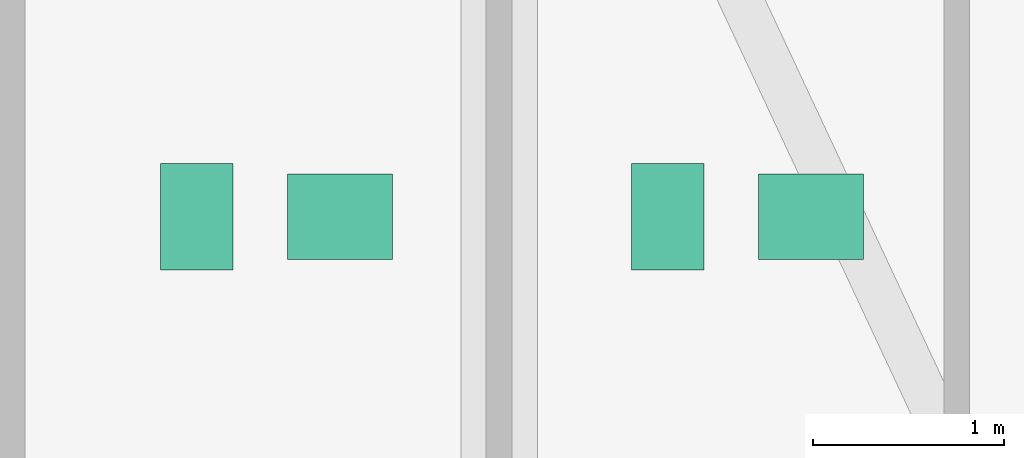
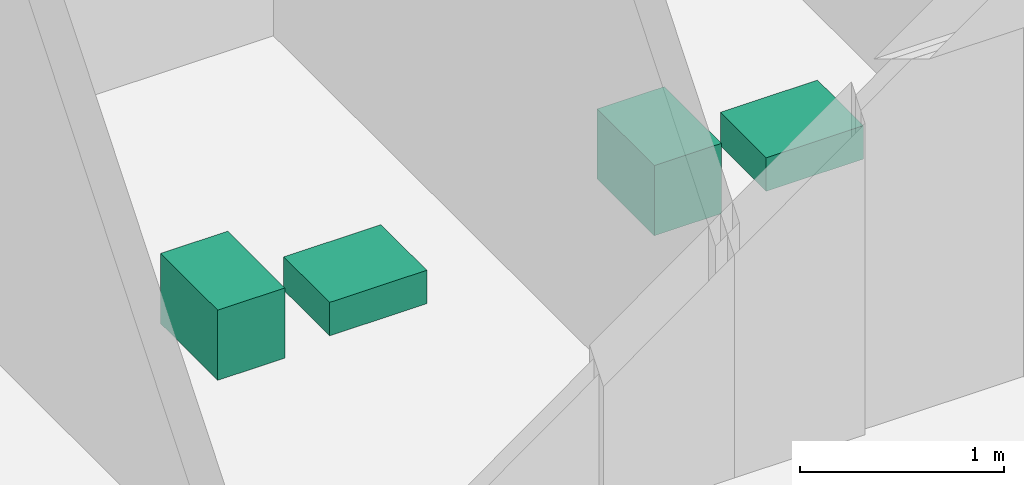
# One storey, part 31 of 31: 4 sanitary terminals.
"""IFC4 building model written with IfcOpenShell, lengths in metres."""

from ifc_helpers import new_model, si_unit, direction, frame, origin, origin_2d, place, context, subcontext, project, spatial, rectangle, extrude, material, type_object, element, save


model = new_model("IFC4")

# Units and contexts
model_context = context("Model", 3, precision=1e-05, world=origin(), true_north=direction((0.0, 1.0)))
body_context = subcontext(model_context, "Body", "Model", "MODEL_VIEW")
ifc_project = project(units=[si_unit("LENGTHUNIT", "METRE"), si_unit("AREAUNIT", "SQUARE_METRE"), si_unit("VOLUMEUNIT", "CUBIC_METRE"), si_unit("PLANEANGLEUNIT", "RADIAN"), si_unit("MASSUNIT", "GRAM", prefix="KILO")], contexts=[model_context])

# Site, building, storey
site_placement = place(None, origin())
site = spatial("IfcSite", under=ifc_project, at=site_placement, CompositionType="ELEMENT")
building_placement = place(site_placement, origin())
building = spatial("IfcBuilding", under=site, at=building_placement, Name="Zuhayl Quay Hotel", CompositionType="ELEMENT")
storey_placement = place(building_placement, frame((0.0, 0.0, 172.800048828125)))
storey = spatial("IfcBuildingStorey", under=building, at=storey_placement, Name="L43", CompositionType="ELEMENT", Elevation=172.800048828125)

# Sanitary terminals
ifc_material = material(Name="Vitreous Porcelain Sanitaryware")
sanitary_terminal_type_1 = type_object("IfcSanitaryTerminalType", Name="SAN_BASIN", PredefinedType="WASHHANDBASIN", material=ifc_material)
for number, where, z_axis, x_axis, name in (
    (1, (12.965087890625, 29.10009765625, 0.0), (0.0, 0.0, 1.0), (1.0, 0.0, 0.0), "L43 Sanitary Fixture WASHHANDBASIN"),
    (2, (15.43505859375, 29.10009765625, 0.0), (0.0, 0.0, 1.0), (1.0, 0.0, 0.0), "L43 Sanitary Fixture WASHHANDBASIN"),
):
    element("IfcSanitaryTerminal", number, at=place(storey_placement, frame(where, z_axis=z_axis, x_axis=x_axis)), inside=storey, type_object=sanitary_terminal_type_1, Name=name, PredefinedType="WASHHANDBASIN", context=body_context, shape_type="SweptSolid", body=[
        extrude(rectangle(XDim=0.550048828125, YDim=0.449951171875, at=origin_2d()), origin(), (0.0, 0.0, 1.0), 0.199951171875),
    ])
sanitary_terminal_type_2 = type_object("IfcSanitaryTerminalType", Name="SAN_WC", PredefinedType="TOILETPAN", material=ifc_material)
for number, where, z_axis, x_axis, name in (
    (3, (12.215087890625, 29.10009765625, 0.0), (0.0, 0.0, 1.0), (1.0, 0.0, 0.0), "L43 Sanitary Fixture TOILETPAN"),
    (4, (14.68505859375, 29.10009765625, 0.0), (0.0, 0.0, 1.0), (1.0, 0.0, 0.0), "L43 Sanitary Fixture TOILETPAN"),
):
    element("IfcSanitaryTerminal", number, at=place(storey_placement, frame(where, z_axis=z_axis, x_axis=x_axis)), inside=storey, type_object=sanitary_terminal_type_2, Name=name, PredefinedType="TOILETPAN", context=body_context, shape_type="SweptSolid", body=[
        extrude(rectangle(XDim=0.3798828125, YDim=0.56005859375, at=origin_2d()), origin(), (0.0, 0.0, 1.0), 0.419921875),
    ])

save(model, "model.ifc")
